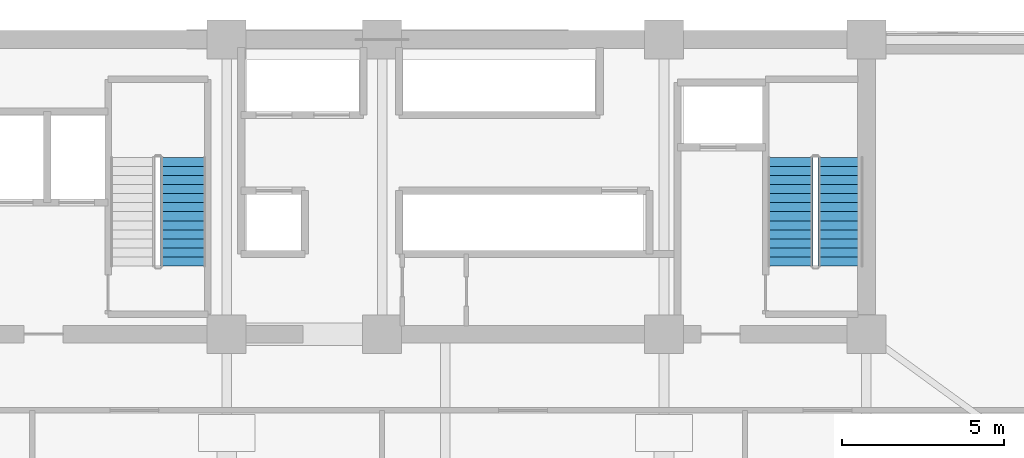
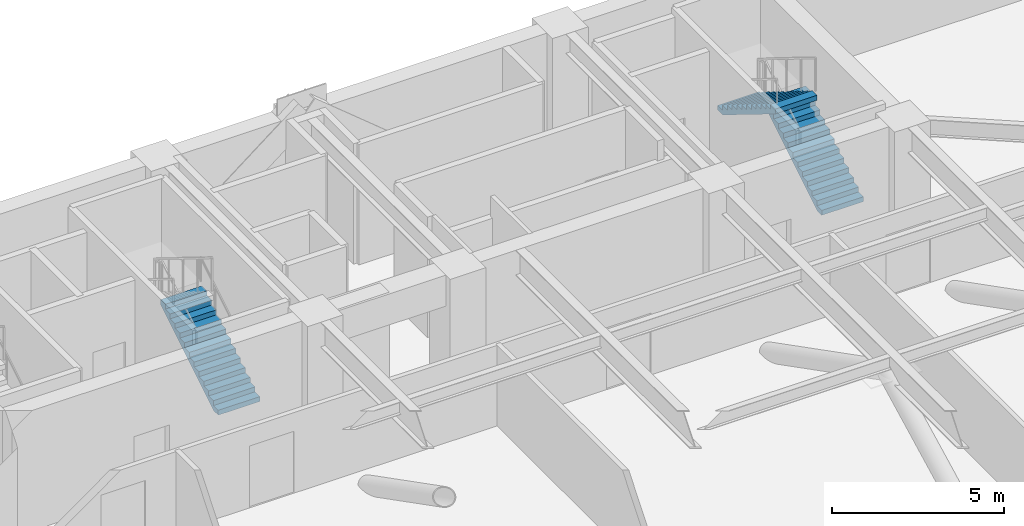
# One storey, part 5 of 10: 3 stair flights, 2 elements without a shape of their own.
"""IFC4 building model written with IfcOpenShell, lengths in metres."""

from ifc_helpers import new_model, si_unit, direction, frame, origin, place, context, subcontext, project, spatial, polyline, outline, extrude, material, type_object, element, aggregate, save


model = new_model("IFC4")

# Units and contexts
model_context = context("Model", 3, precision=1e-05, world=origin(), true_north=direction((0.0, 1.0)))
body_context = subcontext(model_context, "Body", "Model", "MODEL_VIEW")
ifc_project = project(units=[si_unit("LENGTHUNIT", "METRE"), si_unit("AREAUNIT", "SQUARE_METRE"), si_unit("VOLUMEUNIT", "CUBIC_METRE"), si_unit("PLANEANGLEUNIT", "RADIAN"), si_unit("MASSUNIT", "GRAM", prefix="KILO")], contexts=[model_context])

# Site, building, storey
site_placement = place(None, origin())
site = spatial("IfcSite", under=ifc_project, at=site_placement, CompositionType="ELEMENT")
building_placement = place(site_placement, origin())
building = spatial("IfcBuilding", under=site, at=building_placement, Name="Giltprow Tower", CompositionType="ELEMENT")
storey_placement = place(building_placement, frame((0.0, 0.0, 95.199951171875)))
storey = spatial("IfcBuildingStorey", under=building, at=storey_placement, Name="L23", CompositionType="ELEMENT", Elevation=95.199951171875)

# Stair, stair flight
ifc_material = material(Name="Concrete C40", Category="concrete")
stair_type_1 = type_object("IfcStairType", Name="STR-ST-2", PredefinedType="HALF_TURN_STAIR", material=ifc_material)
stair_1_placement = place(storey_placement, origin())
stair_1 = element("IfcStair", 1, at=stair_1_placement, inside=storey, type_object=stair_type_1, Name="L23 Core Exit Stair ST-2", PredefinedType="HALF_TURN_STAIR")
stair_flight_type_1 = type_object("IfcStairFlightType", Name="SFL-ST-2", PredefinedType="STRAIGHT", material=ifc_material)
stair_flight_1_placement = place(storey_placement, frame((29.4599609375, 39.550048828125, 0.0), z_axis=(0.0, 0.0, 1.0), x_axis=(0.0, 1.0, 0.0)))
stair_flight_1 = element("IfcStairFlight", 2, at=stair_flight_1_placement, type_object=stair_flight_type_1, Name="ST-2 flight 1", NumberOfRisers=13, NumberOfTreads=12, PredefinedType="STRAIGHT", RiserHeight=0.173076923, TreadLength=0.28, context=body_context, shape_type="SweptSolid", body=[
    extrude(outline(polyline([(0.0, 0.0), (0.0, 0.173095703125), (0.280029296875, 0.173095703125), (0.280029296875, 0.34619140625), (0.56005859375, 0.34619140625), (0.56005859375, 0.519287109375), (0.840087890625, 0.519287109375), (0.840087890625, 0.6923828125), (1.1201171875, 0.6923828125), (1.1201171875, 0.865478515625), (1.39990234375, 0.865478515625), (1.39990234375, 1.03857421875), (1.679931640625, 1.03857421875), (1.679931640625, 1.21142578125), (1.9599609375, 1.21142578125), (1.9599609375, 1.384521484375), (2.239990234375, 1.384521484375), (2.239990234375, 1.5576171875), (2.52001953125, 1.5576171875), (2.52001953125, 1.730712890625), (2.800048828125, 1.730712890625), (2.800048828125, 1.90380859375), (3.080078125, 1.90380859375), (3.080078125, 2.076904296875), (3.360107421875, 2.076904296875), (3.360107421875, 2.25), (3.360107421875, 1.900634765625), (0.28515625, 0.0), (0.0, 0.0)])), frame((0.0, 0.699951171875, 0.0), z_axis=(0.0, -1.0, 0.0), x_axis=(1.0, 0.0, 0.0)), (0.0, 0.0, 1.0), 1.39990234375),
])
aggregate(stair_1, [stair_flight_1])

# Stair, stair flights
stair_type_2 = type_object("IfcStairType", Name="STR-ST-3", PredefinedType="HALF_TURN_STAIR", material=ifc_material)
stair_2_placement = place(storey_placement, origin())
stair_2 = element("IfcStair", 3, at=stair_2_placement, inside=storey, type_object=stair_type_2, Name="L23 Core Exit Stair ST-3", PredefinedType="HALF_TURN_STAIR")
stair_flight_type_2 = type_object("IfcStairFlightType", Name="SFL-ST-3", PredefinedType="STRAIGHT", material=ifc_material)
stair_flight_2_placement = place(storey_placement, frame((49.760009765625, 39.550048828125, 0.0), z_axis=(0.0, 0.0, 1.0), x_axis=(0.0, 1.0, 0.0)))
stair_flight_2 = element("IfcStairFlight", 4, at=stair_flight_2_placement, type_object=stair_flight_type_2, Name="ST-3 flight 1", NumberOfRisers=13, NumberOfTreads=12, PredefinedType="STRAIGHT", RiserHeight=0.173076923, TreadLength=0.28, context=body_context, shape_type="SweptSolid", body=[
    extrude(outline(polyline([(0.0, 0.0), (0.0, 0.173095703125), (0.280029296875, 0.173095703125), (0.280029296875, 0.34619140625), (0.56005859375, 0.34619140625), (0.56005859375, 0.519287109375), (0.840087890625, 0.519287109375), (0.840087890625, 0.6923828125), (1.1201171875, 0.6923828125), (1.1201171875, 0.865478515625), (1.39990234375, 0.865478515625), (1.39990234375, 1.03857421875), (1.679931640625, 1.03857421875), (1.679931640625, 1.21142578125), (1.9599609375, 1.21142578125), (1.9599609375, 1.384521484375), (2.239990234375, 1.384521484375), (2.239990234375, 1.5576171875), (2.52001953125, 1.5576171875), (2.52001953125, 1.730712890625), (2.800048828125, 1.730712890625), (2.800048828125, 1.90380859375), (3.080078125, 1.90380859375), (3.080078125, 2.076904296875), (3.360107421875, 2.076904296875), (3.360107421875, 2.25), (3.360107421875, 1.900634765625), (0.28515625, 0.0), (0.0, 0.0)])), frame((0.0, 0.699951171875, 0.0), z_axis=(0.0, -1.0, 0.0), x_axis=(1.0, 0.0, 0.0)), (0.0, 0.0, 1.0), 1.39990234375),
])
stair_flight_3_placement = place(storey_placement, frame((48.199951171875, 42.909912109375, 2.25), z_axis=(0.0, 0.0, 1.0), x_axis=(0.0, -1.0, 0.0)))
stair_flight_3 = element("IfcStairFlight", 5, at=stair_flight_3_placement, type_object=stair_flight_type_2, Name="ST-3 flight 2", NumberOfRisers=13, NumberOfTreads=12, PredefinedType="STRAIGHT", RiserHeight=0.173076923, TreadLength=0.28, context=body_context, shape_type="SweptSolid", body=[
    extrude(outline(polyline([(0.0, 0.0), (0.0, 0.173095703125), (0.280029296875, 0.173095703125), (0.280029296875, 0.34619140625), (0.56005859375, 0.34619140625), (0.56005859375, 0.519287109375), (0.840087890625, 0.519287109375), (0.840087890625, 0.6923828125), (1.1201171875, 0.6923828125), (1.1201171875, 0.865478515625), (1.39990234375, 0.865478515625), (1.39990234375, 1.03857421875), (1.679931640625, 1.03857421875), (1.679931640625, 1.21142578125), (1.9599609375, 1.21142578125), (1.9599609375, 1.384521484375), (2.239990234375, 1.384521484375), (2.239990234375, 1.5576171875), (2.52001953125, 1.5576171875), (2.52001953125, 1.730712890625), (2.800048828125, 1.730712890625), (2.800048828125, 1.90380859375), (3.080078125, 1.90380859375), (3.080078125, 2.076904296875), (3.360107421875, 2.076904296875), (3.360107421875, 2.25), (3.360107421875, 1.900634765625), (0.28515625, 0.0), (0.0, 0.0)])), frame((0.0, 0.699951171875, 0.0), z_axis=(0.0, -1.0, 0.0), x_axis=(1.0, 0.0, 0.0)), (0.0, 0.0, 1.0), 1.39990234375),
])
aggregate(stair_2, [stair_flight_2, stair_flight_3])

save(model, "model.ifc")
